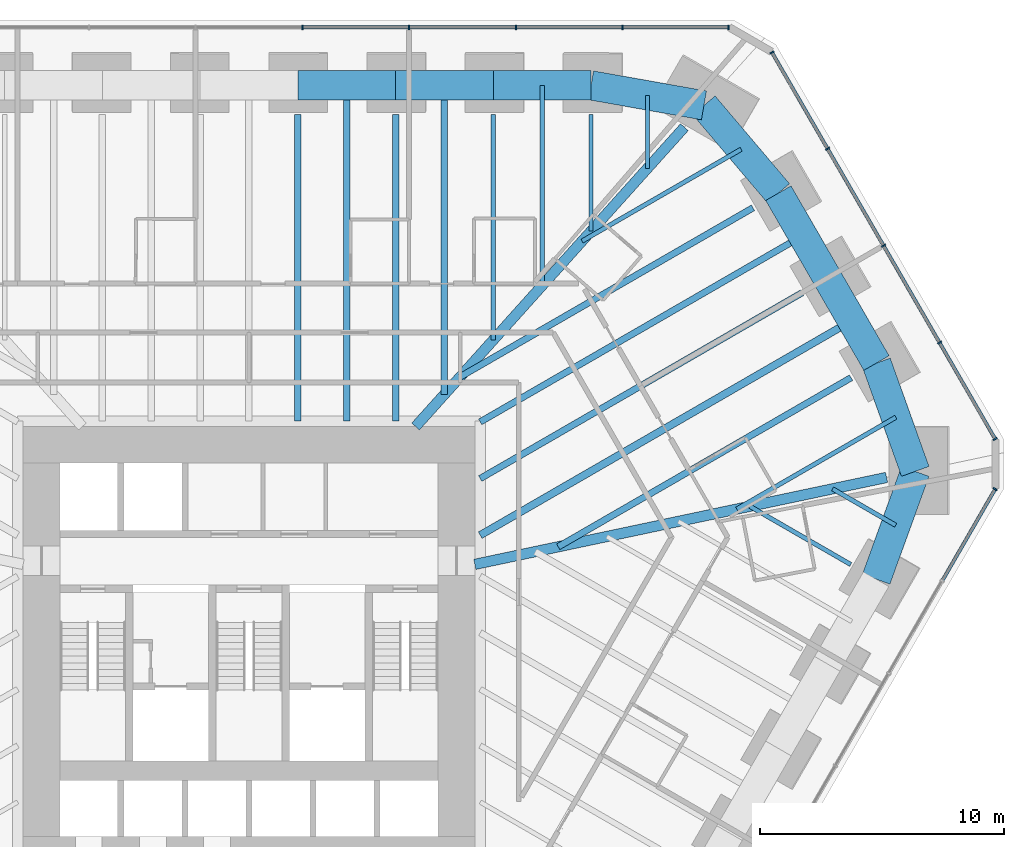
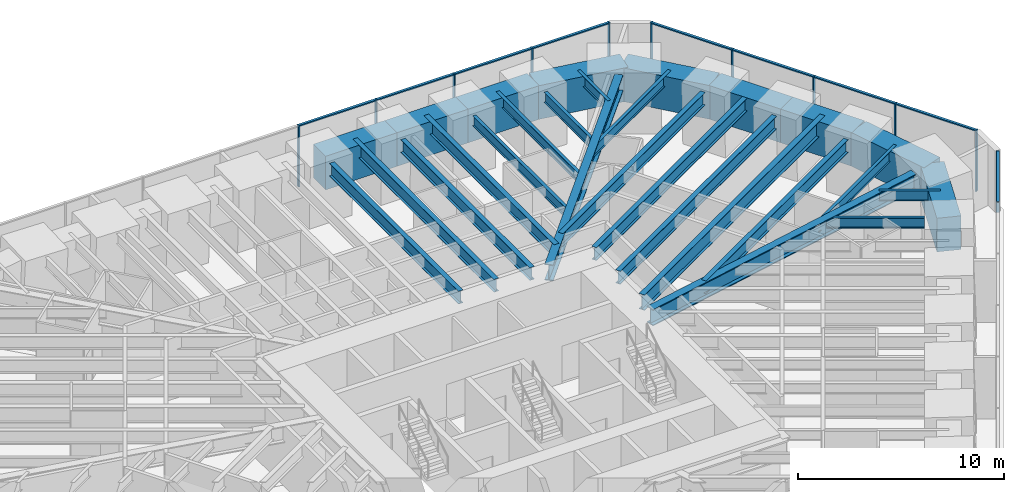
# One storey, part 9 of 17: 28 beams, 20 members, 3 elements without a shape of their own.
"""IFC4 building model written with IfcOpenShell, lengths in metres."""

from ifc_helpers import new_model, si_unit, direction, frame, origin, origin_2d, place, context, subcontext, project, spatial, rectangle, i_section, extrude, material, material_profile, profile_set, type_object, element, aggregate, save


model = new_model("IFC4")

# Units and contexts
model_context = context("Model", 3, precision=1e-05, world=origin(), true_north=direction((0.0, 1.0)))
body_context = subcontext(model_context, "Body", "Model", "MODEL_VIEW")
ifc_project = project(units=[si_unit("LENGTHUNIT", "METRE"), si_unit("AREAUNIT", "SQUARE_METRE"), si_unit("VOLUMEUNIT", "CUBIC_METRE"), si_unit("PLANEANGLEUNIT", "RADIAN"), si_unit("MASSUNIT", "GRAM", prefix="KILO")], contexts=[model_context])

# Site, building, storey
site_placement = place(None, origin())
site = spatial("IfcSite", under=ifc_project, at=site_placement, CompositionType="ELEMENT")
building_placement = place(site_placement, origin())
building = spatial("IfcBuilding", under=site, at=building_placement, Name="Sandreach Pilgrim Tower", CompositionType="ELEMENT")
storey_placement = place(building_placement, frame((0.0, 0.0, 83.800048828125)))
storey = spatial("IfcBuildingStorey", under=building, at=storey_placement, Name="L20", CompositionType="ELEMENT", Elevation=83.800048828125)

# Curtain wall, members
ifc_material_1 = material(Name="Aluminium framed curtain wall", Category="aluminium")
curtain_wall_type = type_object("IfcCurtainWallType", Name="Hostel tower curtain wall", PredefinedType="NOTDEFINED", material=ifc_material_1)
curtain_wall_1_placement = place(storey_placement, origin())
curtain_wall_1 = element("IfcCurtainWall", 1, at=curtain_wall_1_placement, inside=storey, type_object=curtain_wall_type, Name="CW-1 L20 N", PredefinedType="NOTDEFINED")
ifc_material_2 = material(Name="Aluminium extrusion", Category="aluminium")
ifc_material_profile_1 = material_profile(ifc_material_2, rectangle(XDim=0.06494140625, YDim=0.179931640625, at=origin_2d()), Name="CW-1M 65X180")
ifc_profile_set_1 = profile_set([ifc_material_profile_1], Name="Aluminium extrusion")
member_type_1 = type_object("IfcMemberType", Name="CW-1 mullion", PredefinedType="MULLION", material=ifc_profile_set_1)
member_1_placement = place(storey_placement, frame((2.185791015625, 23.94873046875, 0.0), z_axis=(0.0, 0.0, 1.0), x_axis=(1.0, 0.0, 0.0)))
member_1 = element("IfcMember", 2, at=member_1_placement, type_object=member_type_1, Name="CW-1 mullion 6", PredefinedType="MULLION", context=body_context, shape_type="SweptSolid", body=[
    extrude(rectangle(XDim=0.06494140625, YDim=0.179931640625, at=origin_2d()), origin(), (0.0, 0.0, 1.0), 3.639892578125),
])
member_2_placement = place(storey_placement, frame((6.557373046875, 23.94873046875, 0.0), z_axis=(0.0, 0.0, 1.0), x_axis=(1.0, 0.0, 0.0)))
member_2 = element("IfcMember", 3, at=member_2_placement, type_object=member_type_1, Name="CW-1 mullion 7", PredefinedType="MULLION", context=body_context, shape_type="SweptSolid", body=[
    extrude(rectangle(XDim=0.06494140625, YDim=0.179931640625, at=origin_2d()), origin(), (0.0, 0.0, 1.0), 3.639892578125),
])
member_3_placement = place(storey_placement, frame((10.928955078125, 23.94873046875, 0.0), z_axis=(0.0, 0.0, 1.0), x_axis=(1.0, 0.0, 0.0)))
member_3 = element("IfcMember", 4, at=member_3_placement, type_object=member_type_1, Name="CW-1 mullion 8", PredefinedType="MULLION", context=body_context, shape_type="SweptSolid", body=[
    extrude(rectangle(XDim=0.06494140625, YDim=0.179931640625, at=origin_2d()), origin(), (0.0, 0.0, 1.0), 3.639892578125),
])
member_4_placement = place(storey_placement, frame((15.300537109375, 23.94873046875, 0.0), z_axis=(0.0, 0.0, 1.0), x_axis=(1.0, 0.0, 0.0)))
member_4 = element("IfcMember", 5, at=member_4_placement, type_object=member_type_1, Name="CW-1 mullion 9", PredefinedType="MULLION", context=body_context, shape_type="SweptSolid", body=[
    extrude(rectangle(XDim=0.06494140625, YDim=0.179931640625, at=origin_2d()), origin(), (0.0, 0.0, 1.0), 3.639892578125),
])
member_5_placement = place(storey_placement, frame((19.6396484375, 23.94873046875, 0.0), z_axis=(0.0, 0.0, 1.0), x_axis=(1.0, 0.0, 0.0)))
member_5 = element("IfcMember", 6, at=member_5_placement, type_object=member_type_1, Name="CW-1 mullion 10", PredefinedType="MULLION", context=body_context, shape_type="SweptSolid", body=[
    extrude(rectangle(XDim=0.06494140625, YDim=0.179931640625, at=origin_2d()), origin(), (0.0, 0.0, 1.0), 3.639892578125),
])

curtain_wall_2_placement = place(storey_placement, origin())
curtain_wall_2 = element("IfcCurtainWall", 7, at=curtain_wall_2_placement, inside=storey, type_object=curtain_wall_type, Name="CW-1 L20 NE", PredefinedType="NOTDEFINED")
member_6_placement = place(storey_placement, frame((21.42041015625, 22.920654296875, 0.0), z_axis=(0.0, 0.0, 1.0), x_axis=(0.5, -0.866025403784, 0.0)))
member_6 = element("IfcMember", 8, at=member_6_placement, type_object=member_type_1, Name="CW-1 mullion 1", PredefinedType="MULLION", context=body_context, shape_type="SweptSolid", body=[
    extrude(rectangle(XDim=0.06494140625, YDim=0.179931640625, at=origin_2d()), origin(), (0.0, 0.0, 1.0), 3.639892578125),
])
member_7_placement = place(storey_placement, frame((23.697265625, 18.97705078125, 0.0), z_axis=(0.0, 0.0, 1.0), x_axis=(0.5, -0.866025403784, 0.0)))
member_7 = element("IfcMember", 9, at=member_7_placement, type_object=member_type_1, Name="CW-1 mullion 2", PredefinedType="MULLION", context=body_context, shape_type="SweptSolid", body=[
    extrude(rectangle(XDim=0.06494140625, YDim=0.179931640625, at=origin_2d()), origin(), (0.0, 0.0, 1.0), 3.639892578125),
])
member_8_placement = place(storey_placement, frame((25.990234375, 15.00537109375, 0.0), z_axis=(0.0, 0.0, 1.0), x_axis=(0.5, -0.866025403784, 0.0)))
member_8 = element("IfcMember", 10, at=member_8_placement, type_object=member_type_1, Name="CW-1 mullion 3", PredefinedType="MULLION", context=body_context, shape_type="SweptSolid", body=[
    extrude(rectangle(XDim=0.06494140625, YDim=0.179931640625, at=origin_2d()), origin(), (0.0, 0.0, 1.0), 3.639892578125),
])
member_9_placement = place(storey_placement, frame((28.283203125, 11.03369140625, 0.0), z_axis=(0.0, 0.0, 1.0), x_axis=(0.5, -0.866025403784, 0.0)))
member_9 = element("IfcMember", 11, at=member_9_placement, type_object=member_type_1, Name="CW-1 mullion 4", PredefinedType="MULLION", context=body_context, shape_type="SweptSolid", body=[
    extrude(rectangle(XDim=0.06494140625, YDim=0.179931640625, at=origin_2d()), origin(), (0.0, 0.0, 1.0), 3.639892578125),
])
member_10_placement = place(storey_placement, frame((30.56005859375, 7.09033203125, 0.0), z_axis=(0.0, 0.0, 1.0), x_axis=(0.5, -0.866025403784, 0.0)))
member_10 = element("IfcMember", 12, at=member_10_placement, type_object=member_type_1, Name="CW-1 mullion 5", PredefinedType="MULLION", context=body_context, shape_type="SweptSolid", body=[
    extrude(rectangle(XDim=0.06494140625, YDim=0.179931640625, at=origin_2d()), origin(), (0.0, 0.0, 1.0), 3.639892578125),
])

# Curtain wall, member
curtain_wall_3_placement = place(storey_placement, origin())
curtain_wall_3 = element("IfcCurtainWall", 13, at=curtain_wall_3_placement, inside=storey, type_object=curtain_wall_type, Name="CW-1 L20 SE", PredefinedType="NOTDEFINED")
member_11_placement = place(storey_placement, frame((30.56005859375, 5.033935546875, 0.0), z_axis=(0.0, 0.0, 1.0), x_axis=(-0.5, -0.866025403784, 0.0)))
member_11 = element("IfcMember", 14, at=member_11_placement, type_object=member_type_1, Name="CW-1 mullion 1", PredefinedType="MULLION", context=body_context, shape_type="SweptSolid", body=[
    extrude(rectangle(XDim=0.06494140625, YDim=0.179931640625, at=origin_2d()), origin(), (0.0, 0.0, 1.0), 3.639892578125),
])

# Member
ifc_material_3 = material(Name="Aluminium extrusion", Category="aluminium")
ifc_material_profile_2 = material_profile(ifc_material_3, rectangle(XDim=0.139892578125, YDim=0.070068359375, at=origin_2d()), Name="CW-1T 140X70")
ifc_profile_set_2 = profile_set([ifc_material_profile_2], Name="Aluminium extrusion")
member_type_2 = type_object("IfcMemberType", Name="CW-1 transom", PredefinedType="USERDEFINED", material=ifc_profile_set_2)
member_12_placement = place(storey_placement, frame((2.21826171875, 23.94873046875, 3.60498046875), z_axis=(1.0, 0.0, 0.0), x_axis=(0.0, 1.0, 0.0)))
member_12 = element("IfcMember", 15, at=member_12_placement, type_object=member_type_2, Name="CW-1 head transom 6", ObjectType="TRANSOM", PredefinedType="USERDEFINED", context=body_context, shape_type="SweptSolid", body=[
    extrude(rectangle(XDim=0.139892578125, YDim=0.070068359375, at=origin_2d()), origin(), (0.0, 0.0, 1.0), 4.306640625),
])

member_13_placement = place(storey_placement, frame((6.58984375, 23.94873046875, 3.60498046875), z_axis=(1.0, 0.0, 0.0), x_axis=(0.0, 1.0, 0.0)))
member_13 = element("IfcMember", 16, at=member_13_placement, type_object=member_type_2, Name="CW-1 head transom 7", ObjectType="TRANSOM", PredefinedType="USERDEFINED", context=body_context, shape_type="SweptSolid", body=[
    extrude(rectangle(XDim=0.139892578125, YDim=0.070068359375, at=origin_2d()), origin(), (0.0, 0.0, 1.0), 4.306640625),
])

member_14_placement = place(storey_placement, frame((10.96142578125, 23.94873046875, 3.60498046875), z_axis=(1.0, 0.0, 0.0), x_axis=(0.0, 1.0, 0.0)))
member_14 = element("IfcMember", 17, at=member_14_placement, type_object=member_type_2, Name="CW-1 head transom 8", ObjectType="TRANSOM", PredefinedType="USERDEFINED", context=body_context, shape_type="SweptSolid", body=[
    extrude(rectangle(XDim=0.139892578125, YDim=0.070068359375, at=origin_2d()), origin(), (0.0, 0.0, 1.0), 4.306640625),
])

member_15_placement = place(storey_placement, frame((15.3330078125, 23.94873046875, 3.60498046875), z_axis=(1.0, 0.0, 0.0), x_axis=(0.0, 1.0, 0.0)))
member_15 = element("IfcMember", 18, at=member_15_placement, type_object=member_type_2, Name="CW-1 head transom 9", ObjectType="TRANSOM", PredefinedType="USERDEFINED", context=body_context, shape_type="SweptSolid", body=[
    extrude(rectangle(XDim=0.139892578125, YDim=0.070068359375, at=origin_2d()), origin(), (0.0, 0.0, 1.0), 4.274169921875),
])

aggregate(curtain_wall_1, [member_1, member_2, member_3, member_4, member_5, member_12, member_13, member_14, member_15])

member_16_placement = place(storey_placement, frame((21.4365234375, 22.892333984375, 3.60498046875), z_axis=(0.500017500808, -0.866015299452, 0.0), x_axis=(0.866015299452, 0.500017500808, 0.0)))
member_16 = element("IfcMember", 19, at=member_16_placement, type_object=member_type_2, Name="CW-1 head transom 1", ObjectType="TRANSOM", PredefinedType="USERDEFINED", context=body_context, shape_type="SweptSolid", body=[
    extrude(rectangle(XDim=0.139892578125, YDim=0.070068359375, at=origin_2d()), origin(), (0.0, 0.0, 1.0), 4.488525390625),
])

member_17_placement = place(storey_placement, frame((23.71337890625, 18.948974609375, 3.60498046875), z_axis=(0.500001366228, -0.866024614991, 0.0), x_axis=(0.866024614991, 0.500001366228, 0.0)))
member_17 = element("IfcMember", 20, at=member_17_placement, type_object=member_type_2, Name="CW-1 head transom 2", ObjectType="TRANSOM", PredefinedType="USERDEFINED", context=body_context, shape_type="SweptSolid", body=[
    extrude(rectangle(XDim=0.139892578125, YDim=0.070068359375, at=origin_2d()), origin(), (0.0, 0.0, 1.0), 4.52099609375),
])

member_18_placement = place(storey_placement, frame((26.00634765625, 14.977294921875, 3.60498046875), z_axis=(0.500001366228, -0.866024614991, 0.0), x_axis=(0.866024614991, 0.500001366228, 0.0)))
member_18 = element("IfcMember", 21, at=member_18_placement, type_object=member_type_2, Name="CW-1 head transom 3", ObjectType="TRANSOM", PredefinedType="USERDEFINED", context=body_context, shape_type="SweptSolid", body=[
    extrude(rectangle(XDim=0.139892578125, YDim=0.070068359375, at=origin_2d()), origin(), (0.0, 0.0, 1.0), 4.52099609375),
])

member_19_placement = place(storey_placement, frame((28.299560546875, 11.005615234375, 3.60498046875), z_axis=(0.499976706761, -0.866038851724, 0.0), x_axis=(0.866038851724, 0.499976706761, 0.0)))
member_19 = element("IfcMember", 22, at=member_19_placement, type_object=member_type_2, Name="CW-1 head transom 4", ObjectType="TRANSOM", PredefinedType="USERDEFINED", context=body_context, shape_type="SweptSolid", body=[
    extrude(rectangle(XDim=0.139892578125, YDim=0.070068359375, at=origin_2d()), origin(), (0.0, 0.0, 1.0), 4.488525390625),
])

aggregate(curtain_wall_2, [member_6, member_7, member_8, member_9, member_10, member_16, member_17, member_18, member_19])

member_20_placement = place(storey_placement, frame((30.543701171875, 5.005859375, 3.60498046875), z_axis=(-0.499991113271, -0.866030534479, 0.0), x_axis=(0.866030534479, -0.499991113271, 0.0)))
member_20 = element("IfcMember", 23, at=member_20_placement, type_object=member_type_2, Name="CW-1 head transom 1", ObjectType="TRANSOM", PredefinedType="USERDEFINED", context=body_context, shape_type="SweptSolid", body=[
    extrude(rectangle(XDim=0.139892578125, YDim=0.070068359375, at=origin_2d()), origin(), (0.0, 0.0, 1.0), 4.27392578125),
])

aggregate(curtain_wall_3, [member_11, member_20])

# Beams
ifc_material_4 = material(Name="Steel ASTM A992 Grade 50", Category="steel")
ifc_material_profile_3 = material_profile(ifc_material_4, i_section(OverallWidth=0.424072265625, OverallDepth=0.965087890625, WebThickness=0.028564453125, FlangeThickness=0.051025390625, at=origin_2d()), Name="W36X361")
ifc_profile_set_3 = profile_set([ifc_material_profile_3], Name="Steel ASTM A992 Grade 50")
beam_type_1 = type_object("IfcBeamType", Name="Corner girder W36X361", PredefinedType="BEAM", material=ifc_profile_set_3)
beam_1_placement = place(storey_placement, frame((17.83203125, 19.85888671875, 3.157470703125), z_axis=(-0.668122694927, -0.744051116875, 0.0), x_axis=(0.744051116875, -0.668122694927, 0.0)))
element("IfcBeam", 24, at=beam_1_placement, inside=storey, type_object=beam_type_1, Name="BM L20 CG09", PredefinedType="BEAM", context=body_context, shape_type="SweptSolid", body=[
    extrude(i_section(OverallWidth=0.424072265625, OverallDepth=0.965087890625, WebThickness=0.028564453125, FlangeThickness=0.051025390625, at=origin_2d()), origin(), (0.0, 0.0, 1.0), 16.475830078125),
])
ifc_material_5 = material(Name="Steel ASTM A992 Grade 50", Category="steel")
ifc_material_profile_4 = material_profile(ifc_material_5, i_section(OverallWidth=0.4267578125, OverallDepth=0.975341796875, WebThickness=0.031005859375, FlangeThickness=0.055908203125, at=origin_2d()), Name="W36X395")
ifc_profile_set_4 = profile_set([ifc_material_profile_4], Name="Steel ASTM A992 Grade 50")
beam_type_2 = type_object("IfcBeamType", Name="Corner girder W36X395", PredefinedType="BEAM", material=ifc_profile_set_4)
beam_2_placement = place(storey_placement, frame((26.1142578125, 5.513671875, 3.15234375), z_axis=(-0.978427731307, -0.206589386489, 0.0), x_axis=(0.206589386489, -0.978427731307, 0.0)))
element("IfcBeam", 25, at=beam_2_placement, inside=storey, type_object=beam_type_2, Name="BM L20 CG13", PredefinedType="BEAM", context=body_context, shape_type="SweptSolid", body=[
    extrude(i_section(OverallWidth=0.4267578125, OverallDepth=0.975341796875, WebThickness=0.031005859375, FlangeThickness=0.055908203125, at=origin_2d()), origin(), (0.0, 0.0, 1.0), 17.236083984375),
])
ifc_material_6 = material(Name="Steel ASTM A992 Grade 50", Category="steel")
ifc_material_profile_5 = material_profile(ifc_material_6, i_section(OverallWidth=0.1787109375, OverallDepth=0.60205078125, WebThickness=0.010986328125, FlangeThickness=0.014892578125, at=origin_2d()), Name="W24X62")
ifc_profile_set_5 = profile_set([ifc_material_profile_5], Name="Steel ASTM A992 Grade 50")
beam_type_3 = type_object("IfcBeamType", Name="Floor beam W24X62", PredefinedType="BEAM", material=ifc_profile_set_5)
beam_3_placement = place(storey_placement, frame((10.006591796875, 20.371826171875, 3.3388671875), z_axis=(0.0, -1.0, 0.0), x_axis=(1.0, 0.0, 0.0)))
element("IfcBeam", 26, at=beam_3_placement, inside=storey, type_object=beam_type_3, Name="BM L20 F07", PredefinedType="BEAM", context=body_context, shape_type="SweptSolid", body=[
    extrude(i_section(OverallWidth=0.1787109375, OverallDepth=0.60205078125, WebThickness=0.010986328125, FlangeThickness=0.014892578125, at=origin_2d()), origin(), (0.0, 0.0, 1.0), 9.227783203125),
])
for number, where, z_axis, x_axis, name in (
    (27, (14.00927734375, 20.371826171875, 3.3388671875), (0.0, -1.0, 0.0), (1.0, 0.0, 0.0), "BM L20 F08"),
    (28, (24.647216796875, 1.946533203125, 3.3388671875), (-0.866033025307, 0.499986798902, 0.0), (-0.499986798902, -0.866033025307, 0.0), "BM L20 F14"),
):
    element("IfcBeam", number, at=place(storey_placement, frame(where, z_axis=z_axis, x_axis=x_axis)), inside=storey, type_object=beam_type_3, Name=name, PredefinedType="BEAM", context=body_context, shape_type="SweptSolid", body=[
        extrude(i_section(OverallWidth=0.1787109375, OverallDepth=0.60205078125, WebThickness=0.010986328125, FlangeThickness=0.014892578125, at=origin_2d()), origin(), (0.0, 0.0, 1.0), 4.770263671875),
    ])
beam_4_placement = place(storey_placement, frame((12.008056640625, 21.57177734375, 3.3388671875), z_axis=(0.0, -1.0, 0.0), x_axis=(1.0, 0.0, 0.0)))
element("IfcBeam", 29, at=beam_4_placement, inside=storey, type_object=beam_type_3, Name="BM L20 FM07", PredefinedType="BEAM", context=body_context, shape_type="SweptSolid", body=[
    extrude(i_section(OverallWidth=0.1787109375, OverallDepth=0.60205078125, WebThickness=0.010986328125, FlangeThickness=0.014892578125, at=origin_2d()), origin(), (0.0, 0.0, 1.0), 8.198974609375),
])
beam_5_placement = place(storey_placement, frame((16.321533203125, 21.16162109375, 3.3388671875), z_axis=(0.0, -1.0, 0.0), x_axis=(1.0, 0.0, 0.0)))
element("IfcBeam", 30, at=beam_5_placement, inside=storey, type_object=beam_type_3, Name="BM L20 FM08", PredefinedType="BEAM", context=body_context, shape_type="SweptSolid", body=[
    extrude(i_section(OverallWidth=0.1787109375, OverallDepth=0.60205078125, WebThickness=0.010986328125, FlangeThickness=0.014892578125, at=origin_2d()), origin(), (0.0, 0.0, 1.0), 2.98486328125),
])
for number, where, z_axis, x_axis, name in (
    (31, (20.157470703125, 18.9541015625, 3.3388671875), (-0.866024017459, -0.500002401178, 0.0), (0.500002401178, -0.866024017459, 0.0), "BM L20 FM09"),
    (32, (26.493408203125, 7.97998046875, 3.3388671875), (-0.866024017459, -0.500002401178, 0.0), (0.500002401178, -0.866024017459, 0.0), "BM L20 FM12"),
):
    element("IfcBeam", number, at=place(storey_placement, frame(where, z_axis=z_axis, x_axis=x_axis)), inside=storey, type_object=beam_type_3, Name=name, PredefinedType="BEAM", context=body_context, shape_type="SweptSolid", body=[
        extrude(i_section(OverallWidth=0.1787109375, OverallDepth=0.60205078125, WebThickness=0.010986328125, FlangeThickness=0.014892578125, at=origin_2d()), origin(), (0.0, 0.0, 1.0), 7.52392578125),
    ])
beam_6_placement = place(storey_placement, frame((26.4873046875, 3.553955078125, 3.3388671875), z_axis=(-0.865989441933, 0.500062282582, 0.0), x_axis=(-0.500062282582, -0.865989441933, 0.0)))
element("IfcBeam", 33, at=beam_6_placement, inside=storey, type_object=beam_type_3, Name="BM L20 FM13", PredefinedType="BEAM", context=body_context, shape_type="SweptSolid", body=[
    extrude(i_section(OverallWidth=0.1787109375, OverallDepth=0.60205078125, WebThickness=0.010986328125, FlangeThickness=0.014892578125, at=origin_2d()), origin(), (0.0, 0.0, 1.0), 2.98486328125),
])
ifc_material_7 = material(Name="Steel ASTM A992 Grade 50", Category="steel")
ifc_material_profile_6 = material_profile(ifc_material_7, i_section(OverallWidth=0.2666015625, OverallDepth=0.761962890625, WebThickness=0.014404296875, FlangeThickness=0.021484375, at=origin_2d()), Name="W30X116")
ifc_profile_set_6 = profile_set([ifc_material_profile_6], Name="Steel ASTM A992 Grade 50")
beam_type_4 = type_object("IfcBeamType", Name="Floor beam W30X116", PredefinedType="BEAM", material=ifc_profile_set_6)
for number, where, z_axis, x_axis, name in (
    (34, (2.001220703125, 20.371826171875, 3.259033203125), (0.0, -1.0, 0.0), (1.0, 0.0, 0.0), "BM L20 F05"),
    (35, (6.00390625, 20.371826171875, 3.259033203125), (0.0, -1.0, 0.0), (1.0, 0.0, 0.0), "BM L20 F06"),
):
    element("IfcBeam", number, at=place(storey_placement, frame(where, z_axis=z_axis, x_axis=x_axis)), inside=storey, type_object=beam_type_4, Name=name, PredefinedType="BEAM", context=body_context, shape_type="SweptSolid", body=[
        extrude(i_section(OverallWidth=0.2666015625, OverallDepth=0.761962890625, WebThickness=0.014404296875, FlangeThickness=0.021484375, at=origin_2d()), origin(), (0.0, 0.0, 1.0), 12.5498046875),
    ])
for number, where, z_axis, x_axis, name in (
    (36, (20.64208984375, 16.556396484375, 3.259033203125), (-0.866029983618, -0.499992067412, 0.0), (0.499992067412, -0.866029983618, 0.0), "BM L20 F10"),
    (37, (24.659423828125, 9.598388671875, 3.259033203125), (-0.866022349571, -0.500005290016, 0.0), (0.500005290016, -0.866022349571, 0.0), "BM L20 F12"),
):
    element("IfcBeam", number, at=place(storey_placement, frame(where, z_axis=z_axis, x_axis=x_axis)), inside=storey, type_object=beam_type_4, Name=name, PredefinedType="BEAM", context=body_context, shape_type="SweptSolid", body=[
        extrude(i_section(OverallWidth=0.2666015625, OverallDepth=0.761962890625, WebThickness=0.014404296875, FlangeThickness=0.021484375, at=origin_2d()), origin(), (0.0, 0.0, 1.0), 13.847900390625),
    ])
beam_7_placement = place(storey_placement, frame((4.002685546875, 21.57177734375, 3.259033203125), z_axis=(0.0, -1.0, 0.0), x_axis=(1.0, 0.0, 0.0)))
element("IfcBeam", 38, at=beam_7_placement, inside=storey, type_object=beam_type_4, Name="BM L20 FM05", PredefinedType="BEAM", context=body_context, shape_type="SweptSolid", body=[
    extrude(i_section(OverallWidth=0.2666015625, OverallDepth=0.761962890625, WebThickness=0.014404296875, FlangeThickness=0.021484375, at=origin_2d()), origin(), (0.0, 0.0, 1.0), 13.749755859375),
])
beam_8_placement = place(storey_placement, frame((8.00537109375, 21.57177734375, 3.259033203125), z_axis=(0.0, -1.0, 0.0), x_axis=(1.0, 0.0, 0.0)))
element("IfcBeam", 39, at=beam_8_placement, inside=storey, type_object=beam_type_4, Name="BM L20 FM06", PredefinedType="BEAM", context=body_context, shape_type="SweptSolid", body=[
    extrude(i_section(OverallWidth=0.2666015625, OverallDepth=0.761962890625, WebThickness=0.014404296875, FlangeThickness=0.021484375, at=origin_2d()), origin(), (0.0, 0.0, 1.0), 12.656494140625),
])
ifc_material_8 = material(Name="Steel ASTM A992 Grade 50", Category="steel")
ifc_material_profile_7 = material_profile(ifc_material_8, i_section(OverallWidth=0.2666015625, OverallDepth=0.77978515625, WebThickness=0.0166015625, FlangeThickness=0.030029296875, at=origin_2d()), Name="W30X148")
ifc_profile_set_7 = profile_set([ifc_material_profile_7], Name="Steel ASTM A992 Grade 50")
beam_type_5 = type_object("IfcBeamType", Name="Floor beam W30X148", PredefinedType="BEAM", material=ifc_profile_set_7)
beam_9_placement = place(storey_placement, frame((22.650634765625, 13.077392578125, 3.25), z_axis=(-0.866023946137, -0.500002524711, 0.0), x_axis=(0.500002524711, -0.866023946137, 0.0)))
element("IfcBeam", 40, at=beam_9_placement, inside=storey, type_object=beam_type_5, Name="BM L20 F11", PredefinedType="BEAM", context=body_context, shape_type="SweptSolid", body=[
    extrude(i_section(OverallWidth=0.2666015625, OverallDepth=0.77978515625, WebThickness=0.0166015625, FlangeThickness=0.030029296875, at=origin_2d()), origin(), (0.0, 0.0, 1.0), 15.21728515625),
])
beam_10_placement = place(storey_placement, frame((22.685546875, 15.4169921875, 3.25), z_axis=(-0.866020908852, -0.50000778537, 0.0), x_axis=(0.50000778537, -0.866020908852, 0.0)))
element("IfcBeam", 41, at=beam_10_placement, inside=storey, type_object=beam_type_5, Name="BM L20 FM10", PredefinedType="BEAM", context=body_context, shape_type="SweptSolid", body=[
    extrude(i_section(OverallWidth=0.2666015625, OverallDepth=0.77978515625, WebThickness=0.0166015625, FlangeThickness=0.030029296875, at=origin_2d()), origin(), (0.0, 0.0, 1.0), 15.257568359375),
])
ifc_material_9 = material(Name="Steel ASTM A992 Grade 50", Category="steel")
ifc_material_profile_8 = material_profile(ifc_material_9, i_section(OverallWidth=0.3046875, OverallDepth=0.914306640625, WebThickness=0.0166015625, FlangeThickness=0.02587890625, at=origin_2d()), Name="W36X160")
ifc_profile_set_8 = profile_set([ifc_material_profile_8], Name="Steel ASTM A992 Grade 50")
beam_type_6 = type_object("IfcBeamType", Name="Floor beam W36X160", PredefinedType="BEAM", material=ifc_profile_set_8)
beam_11_placement = place(storey_placement, frame((24.6943359375, 11.937744140625, 3.182861328125), z_axis=(-0.866030150868, -0.499991777719, 0.0), x_axis=(0.499991777719, -0.866030150868, 0.0)))
element("IfcBeam", 42, at=beam_11_placement, inside=storey, type_object=beam_type_6, Name="BM L20 FM11", PredefinedType="BEAM", context=body_context, shape_type="SweptSolid", body=[
    extrude(i_section(OverallWidth=0.3046875, OverallDepth=0.914306640625, WebThickness=0.0166015625, FlangeThickness=0.02587890625, at=origin_2d()), origin(), (0.0, 0.0, 1.0), 17.576904296875),
])
ifc_material_10 = material(Name="Concrete 10000 psi", Category="concrete")
ifc_material_profile_9 = material_profile(ifc_material_10, rectangle(XDim=1.199951171875, YDim=2.0, at=origin_2d()), Name="RC1200X2000")
ifc_profile_set_9 = profile_set([ifc_material_profile_9], Name="Concrete 10000 psi")
beam_type_7 = type_object("IfcBeamType", Name="Spandrel beam RC1200X2000", PredefinedType="SPANDREL", material=ifc_profile_set_9)
for number, where, z_axis, x_axis, name in (
    (43, (2.001220703125, 21.57177734375, 2.639892578125), (1.0, 0.0, 0.0), (0.0, 1.0, 0.0), "BM L20 SP05"),
    (44, (6.00390625, 21.57177734375, 2.639892578125), (1.0, 0.0, 0.0), (0.0, 1.0, 0.0), "BM L20 SP06"),
    (45, (10.006591796875, 21.57177734375, 2.639892578125), (1.0, 0.0, 0.0), (0.0, 1.0, 0.0), "BM L20 SP07"),
):
    element("IfcBeam", number, at=place(storey_placement, frame(where, z_axis=z_axis, x_axis=x_axis)), inside=storey, type_object=beam_type_7, Name=name, PredefinedType="SPANDREL", context=body_context, shape_type="SweptSolid", body=[
        extrude(rectangle(XDim=1.199951171875, YDim=2.0, at=origin_2d()), origin(), (0.0, 0.0, 1.0), 4.002685546875),
    ])
beam_12_placement = place(storey_placement, frame((14.00927734375, 21.57177734375, 2.639892578125), z_axis=(0.98463826043, -0.174606689726, 0.0), x_axis=(0.174606689726, 0.98463826043, 0.0)))
element("IfcBeam", 46, at=beam_12_placement, inside=storey, type_object=beam_type_7, Name="BM L20 SP08", PredefinedType="SPANDREL", context=body_context, shape_type="SweptSolid", body=[
    extrude(rectangle(XDim=1.199951171875, YDim=2.0, at=origin_2d()), origin(), (0.0, 0.0, 1.0), 4.69677734375),
])
beam_13_placement = place(storey_placement, frame((18.6337890625, 20.751708984375, 2.639892578125), z_axis=(0.646592211224, -0.762835835802, 0.0), x_axis=(0.762835835802, 0.646592211224, 0.0)))
element("IfcBeam", 47, at=beam_13_placement, inside=storey, type_object=beam_type_7, Name="BM L20 SP09", PredefinedType="SPANDREL", context=body_context, shape_type="SweptSolid", body=[
    extrude(rectangle(XDim=1.199951171875, YDim=2.0, at=origin_2d()), origin(), (0.0, 0.0, 1.0), 4.712890625),
])
for number, where, z_axis, x_axis, name in (
    (48, (21.68115234375, 17.156494140625, 2.639892578125), (0.500034578927, -0.866005438711, 0.0), (0.866005438711, 0.500034578927, 0.0), "BM L20 SP10"),
    (49, (23.68994140625, 13.677490234375, 2.639892578125), (0.499962685275, -0.866046946379, 0.0), (0.866046946379, 0.499962685275, 0.0), "BM L20 SP11"),
):
    element("IfcBeam", number, at=place(storey_placement, frame(where, z_axis=z_axis, x_axis=x_axis)), inside=storey, type_object=beam_type_7, Name=name, PredefinedType="SPANDREL", context=body_context, shape_type="SweptSolid", body=[
        extrude(rectangle(XDim=1.199951171875, YDim=2.0, at=origin_2d()), origin(), (0.0, 0.0, 1.0), 4.017333984375),
    ])
beam_14_placement = place(storey_placement, frame((25.698486328125, 10.1982421875, 2.639892578125), z_axis=(0.337330514543, -0.941386277762, 0.0), x_axis=(0.941386277762, 0.337330514543, 0.0)))
element("IfcBeam", 50, at=beam_14_placement, inside=storey, type_object=beam_type_7, Name="BM L20 SP12", PredefinedType="SPANDREL", context=body_context, shape_type="SweptSolid", body=[
    extrude(rectangle(XDim=1.199951171875, YDim=2.0, at=origin_2d()), origin(), (0.0, 0.0, 1.0), 4.713134765625),
])
beam_15_placement = place(storey_placement, frame((27.288330078125, 5.761474609375, 2.639892578125), z_axis=(-0.341070970396, -0.9400375488, 0.0), x_axis=(0.9400375488, -0.341070970396, 0.0)))
element("IfcBeam", 51, at=beam_15_placement, inside=storey, type_object=beam_type_7, Name="BM L20 SP13", PredefinedType="SPANDREL", context=body_context, shape_type="SweptSolid", body=[
    extrude(rectangle(XDim=1.199951171875, YDim=2.0, at=origin_2d()), origin(), (0.0, 0.0, 1.0), 4.6962890625),
])

save(model, "model.ifc")
